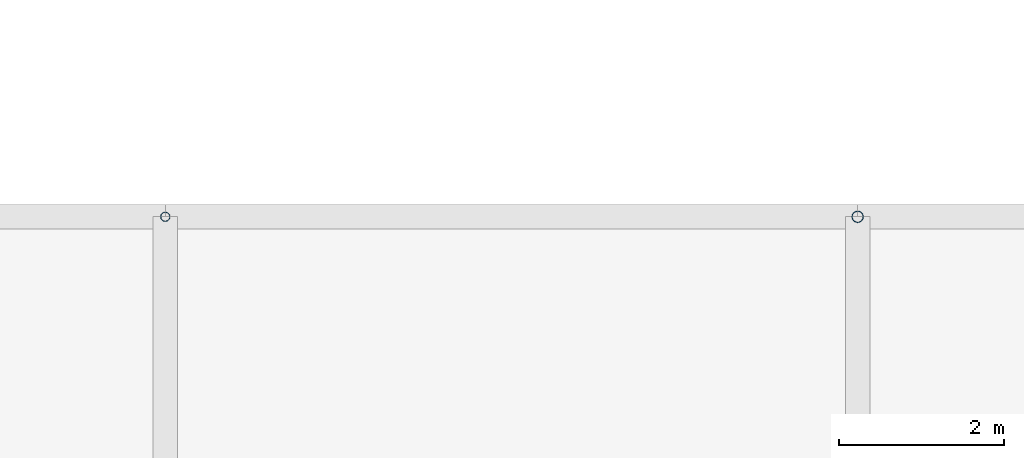
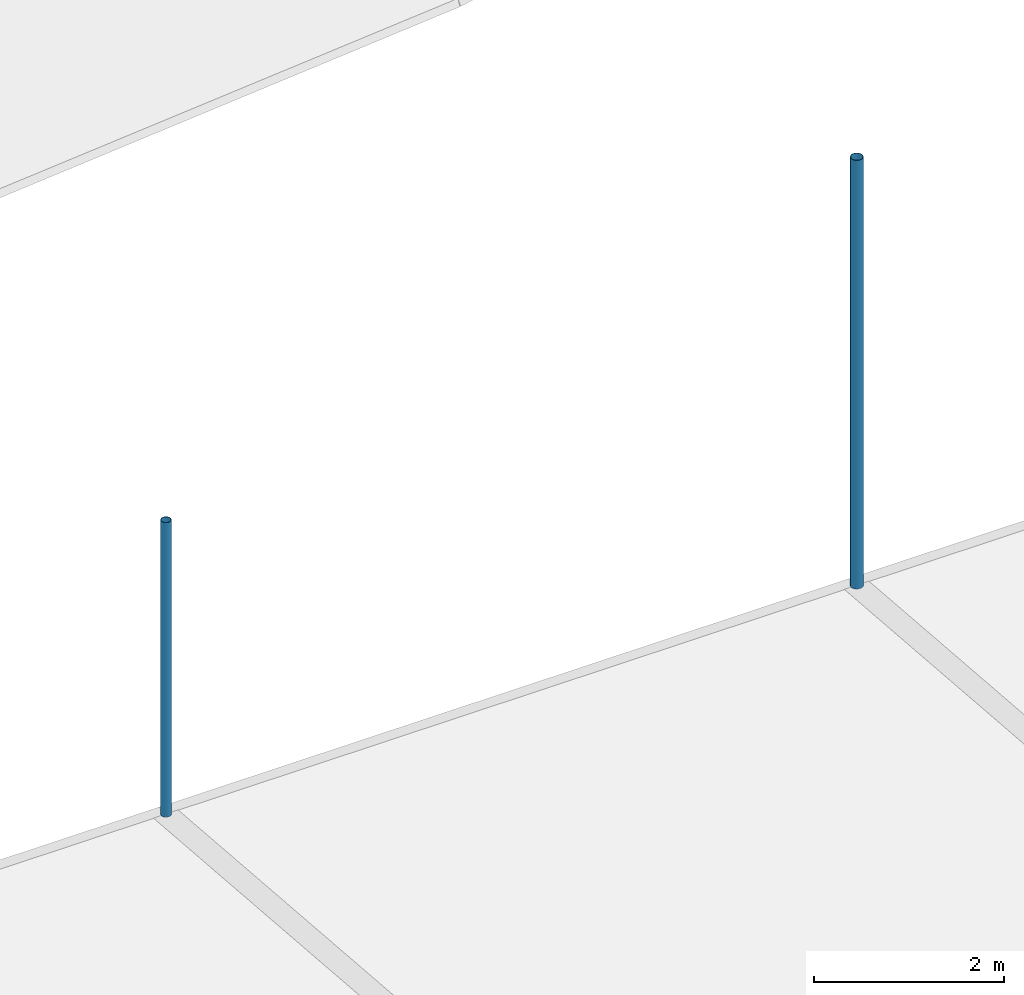
# One storey, part 31 of 37: 2 discrete accessories.
"""IFC4 building model written with IfcOpenShell, lengths in metres."""

import ifcopenshell
import ifcopenshell.guid

model = None  # the IFC model being written
_history = None  # IfcOwnerHistory: only IFC2X3 demands one
_inside = {}  # id of a spatial element -> (the spatial element, [elements in it])
_under = {}  # id of a project, library or spatial element -> (it, [spatial elements below it])
_declared = {}  # id of a project -> (the project, [libraries it declares])
_typed = {}  # id of a type object -> (the type object, [elements of that type])
_made_of = {}  # id of a material, layer set ... -> (it, [elements and type objects made of it])


def new_model(schema):
    """Start an empty IFC model of exactly this schema.

    Asked for "IFC4X3", IfcOpenShell would pick the latest addendum, in which some entities
    have other attributes; the version numbers below select the first issue.
    IFC2X3 requires an IfcOwnerHistory on every rooted entity: one is made here for all.
    """
    global model, _history
    if schema == "IFC4X3":
        model = ifcopenshell.file(schema_version=(4, 3, 0, 0))
    else:
        model = ifcopenshell.file(schema=schema)
    _inside.clear()
    _under.clear()
    _declared.clear()
    _typed.clear()
    _made_of.clear()
    _history = None
    if model.schema == "IFC2X3":
        org = make("IfcOrganization", Name="unknown")
        user = make(
            "IfcPersonAndOrganization",
            ThePerson=make("IfcPerson", FamilyName="unknown"),
            TheOrganization=org,
        )
        app = make(
            "IfcApplication",
            ApplicationDeveloper=org,
            Version="unknown",
            ApplicationFullName="unknown",
            ApplicationIdentifier="unknown",
        )
        _history = make(
            "IfcOwnerHistory",
            OwningUser=user,
            OwningApplication=app,
            ChangeAction="ADDED",
            CreationDate=0,
        )
    return model


def make(cls, **values):
    """One entity of the class cls with the attributes given. An attribute that is None is left unset."""
    return model.create_entity(
        cls, **{name: value for name, value in values.items() if value is not None}
    )


def rooted(cls, **values):
    """An entity with a GlobalId (a new one), such as an element, a storey or a relation."""
    return make(cls, GlobalId=ifcopenshell.guid.new(), OwnerHistory=_history, **values)


def si_unit(unit_type, name, prefix=None):
    """IfcSIUnit, for example si_unit("LENGTHUNIT", "METRE", prefix="MILLI")."""
    return make("IfcSIUnit", UnitType=unit_type, Prefix=prefix, Name=name)


def assignment(units):
    """IfcUnitAssignment: the units of a project."""
    return None if units is None else make("IfcUnitAssignment", Units=units)


def point(xyz):
    """IfcCartesianPoint."""
    return None if xyz is None else make("IfcCartesianPoint", Coordinates=xyz)


def direction(xyz):
    """IfcDirection."""
    return None if xyz is None else make("IfcDirection", DirectionRatios=xyz)


def frame(location, z_axis=None, x_axis=None):
    """IfcAxis2Placement3D, a coordinate frame: its origin and axes. An axis left out is left unset."""
    return make(
        "IfcAxis2Placement3D",
        Location=point(location),
        Axis=direction(z_axis),
        RefDirection=direction(x_axis),
    )


def frame_2d(location, x_axis=None):
    """IfcAxis2Placement2D, a coordinate frame in the plane: its origin and x axis."""
    return make(
        "IfcAxis2Placement2D", Location=point(location), RefDirection=direction(x_axis)
    )


def origin():
    """The frame at (0, 0, 0) with its axes left unset."""
    return frame((0.0, 0.0, 0.0))


def origin_2d():
    """The frame at (0, 0) in the plane with its x axis left unset."""
    return frame_2d((0.0, 0.0))


def place(relative_to, where):
    """IfcLocalPlacement: puts the frame where relative to a parent placement (None: the world)."""
    return make(
        "IfcLocalPlacement", PlacementRelTo=relative_to, RelativePlacement=where
    )


def context(
    kind, dimensions, precision=None, world=None, true_north=None, identifier=None
):
    """IfcGeometricRepresentationContext, for example the 3D "Model" context."""
    return make(
        "IfcGeometricRepresentationContext",
        ContextIdentifier=identifier,
        ContextType=kind,
        CoordinateSpaceDimension=dimensions,
        Precision=precision,
        WorldCoordinateSystem=world,
        TrueNorth=true_north,
    )


def subcontext(parent, identifier, kind, view, scale=None):
    """IfcGeometricRepresentationSubContext, for example "Body" below "Model"."""
    return make(
        "IfcGeometricRepresentationSubContext",
        ContextIdentifier=identifier,
        ContextType=kind,
        ParentContext=parent,
        TargetScale=scale,
        TargetView=view,
    )


def project(units=None, contexts=None):
    """IfcProject with its units and contexts."""
    return rooted(
        "IfcProject",
        Name="project",
        RepresentationContexts=contexts,
        UnitsInContext=assignment(units),
    )


def spatial(cls, under=None, at=None, **own):
    """A site, building, storey or space (cls), placed at a placement, below another one or the project."""
    s = rooted(cls, ObjectPlacement=at, **own)
    if under is not None:
        _under.setdefault(under.id(), (under, []))[1].append(s)
    return s


def profile(cls, at=None, kind="AREA", **sizes):
    """A parametric profile (cls). Its sizes go by their IFC names, for example OverallWidth=200.0."""
    return make(cls, ProfileType=kind, Position=at, **sizes)


def hollow_circle(**sizes):
    """IfcCircleHollowProfileDef."""
    return profile("IfcCircleHollowProfileDef", **sizes)


def extrude(swept, where, along, depth):
    """IfcExtrudedAreaSolid: the profile swept, set in the frame where, extruded along a direction by depth."""
    return make(
        "IfcExtrudedAreaSolid",
        SweptArea=swept,
        Position=where,
        ExtrudedDirection=direction(along),
        Depth=depth,
    )


def shape(context_of_items, identifier, shape_type, items):
    """IfcShapeRepresentation: the items that make up one representation, for example the "Body"."""
    return make(
        "IfcShapeRepresentation",
        ContextOfItems=context_of_items,
        RepresentationIdentifier=identifier,
        RepresentationType=shape_type,
        Items=items,
    )


def material(Name=None, Category=None):
    """IfcMaterial."""
    return make("IfcMaterial", Name=Name, Category=Category)


def material_profile(
    of_material, cross_section, Name=None, Category=None, Priority=None
):
    """IfcMaterialProfile: a cross section and its material."""
    return make(
        "IfcMaterialProfile",
        Name=Name,
        Material=of_material,
        Profile=cross_section,
        Priority=Priority,
        Category=Category,
    )


def profile_set(profiles, Name=None, composite=None):
    """IfcMaterialProfileSet."""
    return make(
        "IfcMaterialProfileSet",
        Name=Name,
        MaterialProfiles=profiles,
        CompositeProfile=composite,
    )


def made_of(thing, what):
    """Note that an element or type object is made of a material, layer set ...; save() writes the relation."""
    if what is not None:
        _made_of.setdefault(what.id(), (what, []))[1].append(thing)
    return thing


def type_object(cls, material=None, **own):
    """A type object (cls), such as IfcWallType, which elements share."""
    return made_of(rooted(cls, **own), material)


def element(
    cls,
    number,
    at=None,
    inside=None,
    cuts=None,
    type_object=None,
    material=None,
    context=None,
    identifier="Body",
    shape_type=None,
    held_by="IfcProductDefinitionShape",
    body=None,
    shapes=None,
    **own,
):
    """One element of the class cls, such as IfcWall. Its Tag is "e" and its number.

    at: its placement. inside: the storey or other place that contains it. cuts: it is an
    opening in that element (IfcRelVoidsElement). A single representation is given by context,
    identifier, shape_type and body (its items); several are given by shapes. held_by: the class
    of the entity that holds the representations. save() writes the other relations.
    """
    e = rooted(cls, Tag="e%d" % number, ObjectPlacement=at, **own)
    if body is not None:
        shapes = [shape(context, identifier, shape_type, body)]
    if shapes is not None:
        e.Representation = make(held_by, Representations=shapes)
    if inside is not None:
        _inside.setdefault(inside.id(), (inside, []))[1].append(e)
    if cuts is not None:
        rooted(
            "IfcRelVoidsElement", RelatingBuildingElement=cuts, RelatedOpeningElement=e
        )
    if type_object is not None:
        _typed.setdefault(type_object.id(), (type_object, []))[1].append(e)
    return made_of(e, material)


def aggregate(whole, parts):
    """IfcRelAggregates: a whole, such as a stair, and the parts it consists of."""
    return rooted("IfcRelAggregates", RelatingObject=whole, RelatedObjects=parts)


def save(model, path):
    """Write the relations noted so far, then the file.

    IfcRelAggregates (storeys below a building ...), IfcRelContainedInSpatialStructure (elements
    in a storey), IfcRelDefinesByType, IfcRelAssociatesMaterial and IfcRelDeclares: one each for
    every whole, place, type object, material and project.
    """
    for whole, parts in _under.values():
        aggregate(whole, parts)
    for where, things in _inside.values():
        rooted(
            "IfcRelContainedInSpatialStructure",
            RelatedElements=things,
            RelatingStructure=where,
        )
    for kind, things in _typed.values():
        rooted("IfcRelDefinesByType", RelatedObjects=things, RelatingType=kind)
    for what, things in _made_of.values():
        rooted("IfcRelAssociatesMaterial", RelatedObjects=things, RelatingMaterial=what)
    for by, libraries in _declared.values():
        rooted("IfcRelDeclares", RelatingContext=by, RelatedDefinitions=libraries)
    model.write(path)


model = new_model("IFC4")

# Units and contexts
model_context = context("Model", 3, precision=1e-05, world=origin(), true_north=direction((0.0, 1.0)))
body_context = subcontext(model_context, "Body", "Model", "MODEL_VIEW")
ifc_project = project(units=[si_unit("LENGTHUNIT", "METRE"), si_unit("AREAUNIT", "SQUARE_METRE"), si_unit("VOLUMEUNIT", "CUBIC_METRE"), si_unit("PLANEANGLEUNIT", "RADIAN"), si_unit("MASSUNIT", "GRAM", prefix="KILO")], contexts=[model_context])

# Site, building, storey
site_placement = place(None, origin())
site = spatial("IfcSite", under=ifc_project, at=site_placement, CompositionType="ELEMENT")
building_placement = place(site_placement, origin())
building = spatial("IfcBuilding", under=site, at=building_placement, Name="Rain Tree Exposition and Congress Centre", CompositionType="ELEMENT")
storey_placement = place(building_placement, frame((0.0, 0.0, 25.0)))
storey = spatial("IfcBuildingStorey", under=building, at=storey_placement, Name="ROOF VAULT LOW", CompositionType="ELEMENT", Elevation=25.0)

# Discrete accessories
ifc_material_1 = material(Name="Steel S355J2H", Category="steel")
ifc_material_profile_1 = material_profile(ifc_material_1, hollow_circle(Radius=0.05712890625, WallThickness=0.00439453125, at=origin_2d()), Name="CHS 114x4.5")
ifc_profile_set_1 = profile_set([ifc_material_profile_1], Name="Steel S355J2H")
discrete_accessory_type_1 = type_object("IfcDiscreteAccessoryType", Name="Roof skin post CHS 114x4.5", PredefinedType="BRACKET", material=ifc_profile_set_1)
discrete_accessory_1_placement = place(storey_placement, frame((50.39990234375, 168.0, 0.4892578125), z_axis=(0.0, 0.0, 1.0), x_axis=(1.0, 0.0, 0.0)))
element("IfcDiscreteAccessory", 1, at=discrete_accessory_1_placement, inside=storey, type_object=discrete_accessory_type_1, Name="Roof skin post A126", PredefinedType="BRACKET", context=body_context, shape_type="SweptSolid", body=[
    extrude(hollow_circle(Radius=0.05712890625, WallThickness=0.00439453125, at=origin_2d()), origin(), (0.0, 0.0, 1.0), 3.787353515625),
])
ifc_material_2 = material(Name="Steel S355J2H", Category="steel")
ifc_material_profile_2 = material_profile(ifc_material_2, hollow_circle(Radius=0.06982421875, WallThickness=0.0048828125, at=origin_2d()), Name="CHS 140x5")
ifc_profile_set_2 = profile_set([ifc_material_profile_2], Name="Steel S355J2H")
discrete_accessory_type_2 = type_object("IfcDiscreteAccessoryType", Name="Roof skin post CHS 140x5", PredefinedType="BRACKET", material=ifc_profile_set_2)
discrete_accessory_2_placement = place(storey_placement, frame((58.800048828125, 168.0, 0.4892578125), z_axis=(0.0, 0.0, 1.0), x_axis=(1.0, 0.0, 0.0)))
element("IfcDiscreteAccessory", 2, at=discrete_accessory_2_placement, inside=storey, type_object=discrete_accessory_type_2, Name="Roof skin post A127", PredefinedType="BRACKET", context=body_context, shape_type="SweptSolid", body=[
    extrude(hollow_circle(Radius=0.06982421875, WallThickness=0.0048828125, at=origin_2d()), origin(), (0.0, 0.0, 1.0), 5.5126953125),
])

save(model, "model.ifc")
